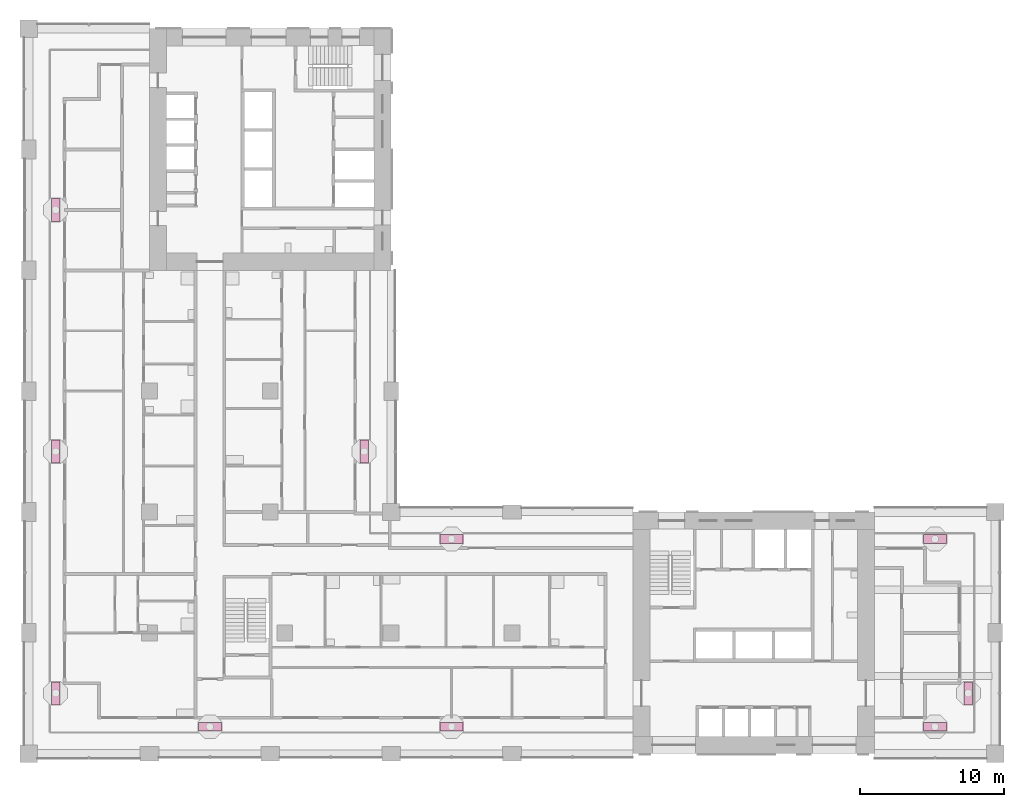
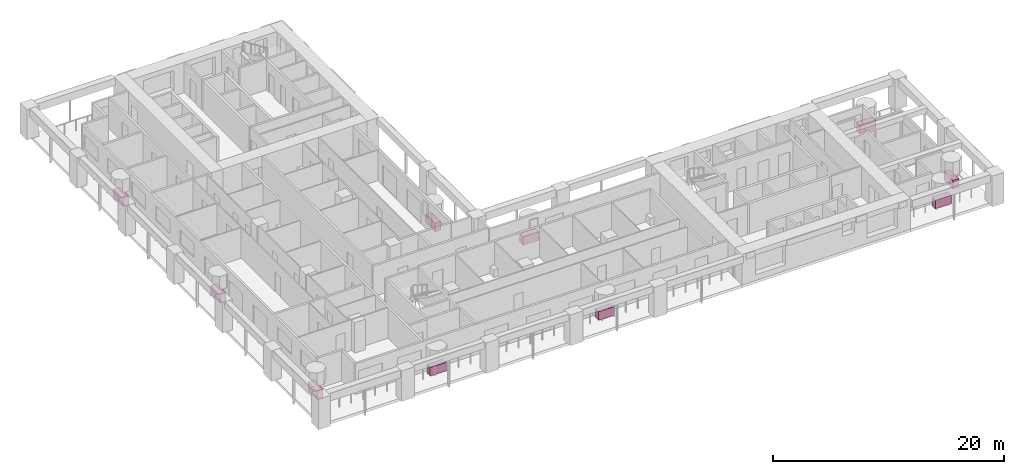
# One storey, part 17 of 18: 10 furniture elements.
"""IFC4 building model written with IfcOpenShell, lengths in metres."""

from ifc_helpers import new_model, si_unit, direction, frame, origin, origin_2d, place, context, subcontext, project, spatial, rectangle, extrude, material, element, save


model = new_model("IFC4")

# Units and contexts
model_context = context("Model", 3, precision=1e-05, world=origin(), true_north=direction((0.0, 1.0)))
body_context = subcontext(model_context, "Body", "Model", "MODEL_VIEW")
ifc_project = project(units=[si_unit("LENGTHUNIT", "METRE"), si_unit("AREAUNIT", "SQUARE_METRE"), si_unit("VOLUMEUNIT", "CUBIC_METRE"), si_unit("PLANEANGLEUNIT", "RADIAN"), si_unit("MASSUNIT", "GRAM", prefix="KILO")], contexts=[model_context])

# Site, building, storey
site_placement = place(None, origin())
site = spatial("IfcSite", under=ifc_project, at=site_placement, CompositionType="ELEMENT")
building_placement = place(site_placement, origin())
building = spatial("IfcBuilding", under=site, at=building_placement, Name="Vermilion Gate Residences", CompositionType="ELEMENT")
storey_placement = place(building_placement, frame((0.0, 0.0, 133.699951171875)))
storey = spatial("IfcBuildingStorey", under=building, at=storey_placement, Name="L34", CompositionType="ELEMENT", Elevation=133.699951171875)

# Furniture
ifc_material = material(Name="Terracotta planter", Category="masonry")
for number, where, z_axis, x_axis, name in (
    (1, (12.60009765625, 10.27490234375, 0.0), (0.0, 0.0, 1.0), (1.0, 0.0, 0.0), "PLANTER"),
    (2, (29.39990234375, 10.27490234375, 0.0), (0.0, 0.0, 1.0), (1.0, 0.0, 0.0), "PLANTER"),
    (3, (63.0, 10.27490234375, 0.0), (0.0, 0.0, 1.0), (1.0, 0.0, 0.0), "PLANTER"),
    (4, (65.324951171875, 12.60009765625, 0.0), (0.0, 0.0, 1.0), (0.0, 1.0, 0.0), "PLANTER"),
    (5, (29.39990234375, 23.324951171875, 0.0), (0.0, 0.0, 1.0), (-1.0, 0.0, 0.0), "PLANTER"),
    (6, (63.0, 23.324951171875, 0.0), (0.0, 0.0, 1.0), (-1.0, 0.0, 0.0), "PLANTER"),
    (7, (23.324951171875, 29.39990234375, 0.0), (0.0, 0.0, 1.0), (0.0, 1.0, 0.0), "PLANTER"),
    (8, (1.875, 12.60009765625, 0.0), (0.0, 0.0, 1.0), (0.0, -1.0, 0.0), "PLANTER"),
    (9, (1.875, 29.39990234375, 0.0), (0.0, 0.0, 1.0), (0.0, -1.0, 0.0), "PLANTER"),
    (10, (1.875, 46.199951171875, 0.0), (0.0, 0.0, 1.0), (0.0, -1.0, 0.0), "PLANTER"),
):
    element("IfcFurniture", number, at=place(storey_placement, frame(where, z_axis=z_axis, x_axis=x_axis)), inside=storey, material=ifc_material, Name=name, ObjectType="PLANTER", PredefinedType="USERDEFINED", context=body_context, shape_type="SweptSolid", body=[
        extrude(rectangle(XDim=1.60009765625, YDim=0.60009765625, at=origin_2d()), origin(), (0.0, 0.0, 1.0), 0.89990234375),
    ])

save(model, "model.ifc")
